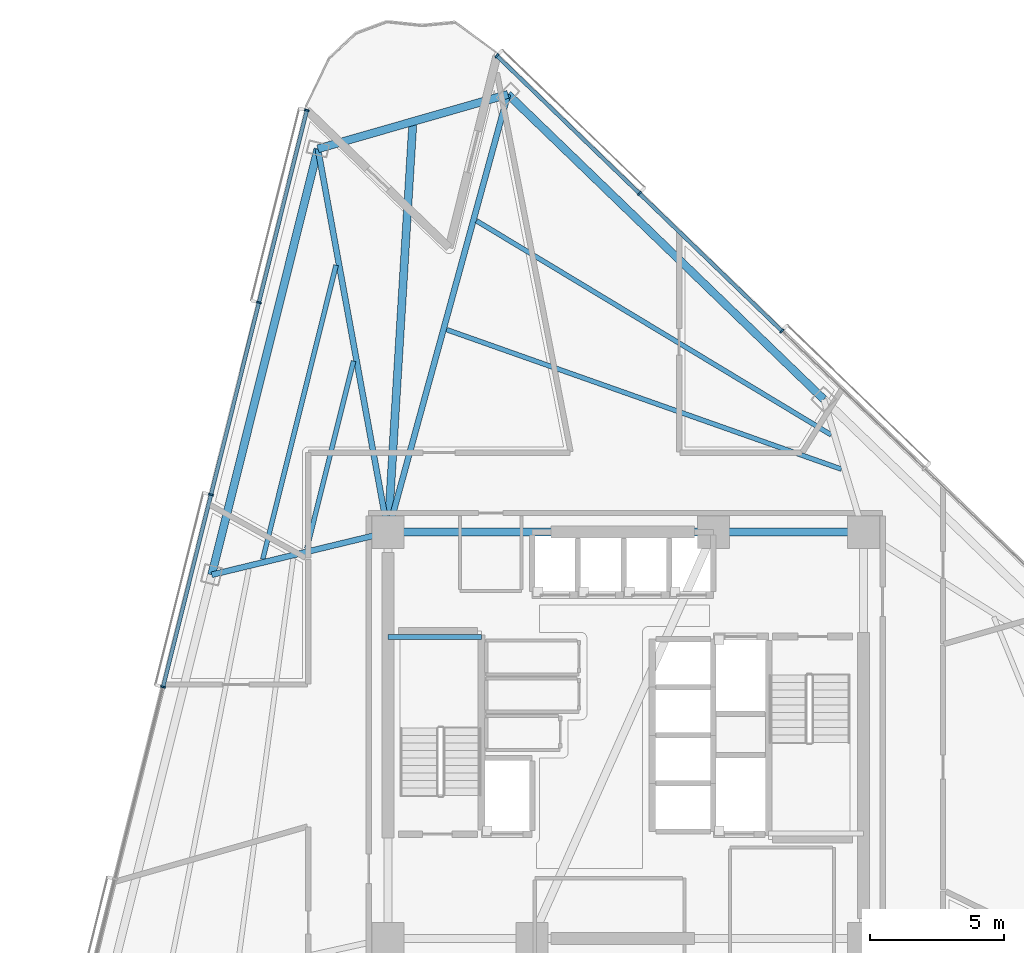
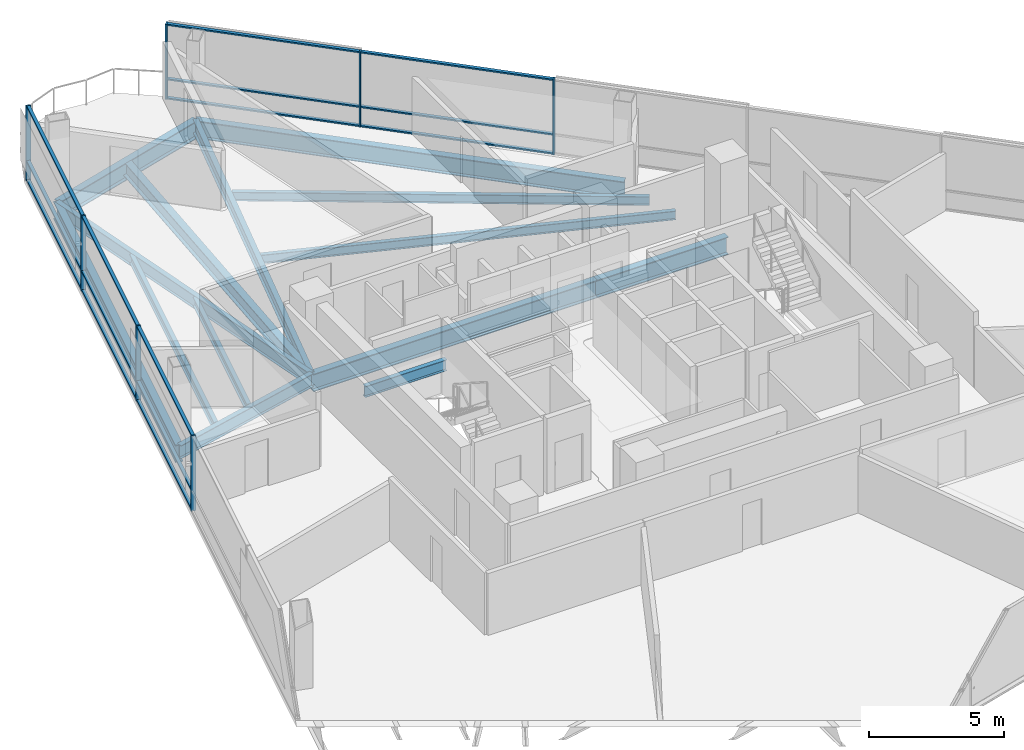
# One storey, part 6 of 17: 22 members, 14 beams, 2 elements without a shape of their own.
"""IFC4 building model written with IfcOpenShell, lengths in metres."""

from ifc_helpers import new_model, si_unit, direction, frame, origin, origin_2d, place, context, subcontext, project, spatial, rectangle, i_section, extrude, material, layer, layer_set, material_profile, profile_set, type_object, element, aggregate, save


model = new_model("IFC4")

# Units and contexts
model_context = context("Model", 3, precision=1e-05, world=origin(), true_north=direction((0.0, 1.0)))
body_context = subcontext(model_context, "Body", "Model", "MODEL_VIEW")
ifc_project = project(units=[si_unit("LENGTHUNIT", "METRE"), si_unit("AREAUNIT", "SQUARE_METRE"), si_unit("VOLUMEUNIT", "CUBIC_METRE"), si_unit("PLANEANGLEUNIT", "RADIAN"), si_unit("MASSUNIT", "GRAM", prefix="KILO")], contexts=[model_context])

# Site, building, storey
site_placement = place(None, origin())
site = spatial("IfcSite", under=ifc_project, at=site_placement, CompositionType="ELEMENT")
building_placement = place(site_placement, origin())
building = spatial("IfcBuilding", under=site, at=building_placement, Name="Tharavind Bronze Gate", CompositionType="ELEMENT")
storey_placement = place(building_placement, frame((0.0, 0.0, 93.300048828125)))
storey = spatial("IfcBuildingStorey", under=building, at=storey_placement, Name="L23", CompositionType="ELEMENT", Elevation=93.300048828125)

# Curtain wall, members
ifc_material_1 = material(Name="Anodised Bronze Aluminium", Category="aluminium")
ifc_layer = layer(ifc_material_1, 0.219970703125)
ifc_layer_set = layer_set([ifc_layer], Name="Anodised Bronze Aluminium")
curtain_wall_type = type_object("IfcCurtainWallType", Name="UNITISED CURTAIN WALL LOWER OFFICE", PredefinedType="USERDEFINED", material=ifc_layer_set)
curtain_wall_1_placement = place(storey_placement, origin())
curtain_wall_1 = element("IfcCurtainWall", 1, at=curtain_wall_1_placement, inside=storey, type_object=curtain_wall_type, Name="L23 unitised curtain wall lower office CW-L23-S1", ObjectType="UNITISED CURTAIN WALL", PredefinedType="USERDEFINED")
member_type_1 = type_object("IfcMemberType", Name="CURTAIN WALL BRONZE MULLION 65X180", PredefinedType="MULLION", material=ifc_material_1)
member_1_placement = place(storey_placement, frame((-11.93359375, 23.394287109375, 0.0), z_axis=(0.0, 0.0, 1.0), x_axis=(-0.2419218956, -0.970295726276, 0.0)))
member_1 = element("IfcMember", 2, at=member_1_placement, type_object=member_type_1, Name="CW-L23-S1 mullion 1", PredefinedType="MULLION", context=body_context, shape_type="SweptSolid", body=[
    extrude(rectangle(XDim=0.06494140625, YDim=0.179931640625, at=origin_2d()), origin(), (0.0, 0.0, 1.0), 3.409912109375),
])
member_2_placement = place(storey_placement, frame((-13.727294921875, 16.2001953125, 0.0), z_axis=(0.0, 0.0, 1.0), x_axis=(-0.2419218956, -0.970295726276, 0.0)))
member_2 = element("IfcMember", 3, at=member_2_placement, type_object=member_type_1, Name="CW-L23-S1 mullion 2", PredefinedType="MULLION", context=body_context, shape_type="SweptSolid", body=[
    extrude(rectangle(XDim=0.06494140625, YDim=0.179931640625, at=origin_2d()), origin(), (0.0, 0.0, 1.0), 3.409912109375),
])
member_3_placement = place(storey_placement, frame((-15.52099609375, 9.00634765625, 0.0), z_axis=(0.0, 0.0, 1.0), x_axis=(-0.2419218956, -0.970295726276, 0.0)))
member_3 = element("IfcMember", 4, at=member_3_placement, type_object=member_type_1, Name="CW-L23-S1 mullion 3", PredefinedType="MULLION", context=body_context, shape_type="SweptSolid", body=[
    extrude(rectangle(XDim=0.06494140625, YDim=0.179931640625, at=origin_2d()), origin(), (0.0, 0.0, 1.0), 3.409912109375),
])
member_4_placement = place(storey_placement, frame((-17.314697265625, 1.812255859375, 0.0), z_axis=(0.0, 0.0, 1.0), x_axis=(-0.2419218956, -0.970295726276, 0.0)))
member_4 = element("IfcMember", 5, at=member_4_placement, type_object=member_type_1, Name="CW-L23-S1 mullion 4", PredefinedType="MULLION", context=body_context, shape_type="SweptSolid", body=[
    extrude(rectangle(XDim=0.06494140625, YDim=0.179931640625, at=origin_2d()), origin(), (0.0, 0.0, 1.0), 3.409912109375),
])

curtain_wall_2_placement = place(storey_placement, origin())
curtain_wall_2 = element("IfcCurtainWall", 6, at=curtain_wall_2_placement, inside=storey, type_object=curtain_wall_type, Name="L23 unitised curtain wall lower office CW-L23-S3", ObjectType="UNITISED CURTAIN WALL", PredefinedType="USERDEFINED")
member_5_placement = place(storey_placement, frame((5.84619140625, 15.13330078125, 0.0), z_axis=(0.0, 0.0, 1.0), x_axis=(-0.719341012745, 0.694657114973, 0.0)))
member_5 = element("IfcMember", 7, at=member_5_placement, type_object=member_type_1, Name="CW-L23-S3 mullion 6", PredefinedType="MULLION", context=body_context, shape_type="SweptSolid", body=[
    extrude(rectangle(XDim=0.06494140625, YDim=0.179931640625, at=origin_2d()), origin(), (0.0, 0.0, 1.0), 3.409912109375),
])
member_6_placement = place(storey_placement, frame((0.512939453125, 20.28369140625, 0.0), z_axis=(0.0, 0.0, 1.0), x_axis=(-0.719341012745, 0.694657114973, 0.0)))
member_6 = element("IfcMember", 8, at=member_6_placement, type_object=member_type_1, Name="CW-L23-S3 mullion 7", PredefinedType="MULLION", context=body_context, shape_type="SweptSolid", body=[
    extrude(rectangle(XDim=0.06494140625, YDim=0.179931640625, at=origin_2d()), origin(), (0.0, 0.0, 1.0), 3.409912109375),
])
member_7_placement = place(storey_placement, frame((-4.8203125, 25.433837890625, 0.0), z_axis=(0.0, 0.0, 1.0), x_axis=(-0.719341012745, 0.694657114973, 0.0)))
member_7 = element("IfcMember", 9, at=member_7_placement, type_object=member_type_1, Name="CW-L23-S3 mullion 8", PredefinedType="MULLION", context=body_context, shape_type="SweptSolid", body=[
    extrude(rectangle(XDim=0.06494140625, YDim=0.179931640625, at=origin_2d()), origin(), (0.0, 0.0, 1.0), 3.409912109375),
])

# Member
member_type_2 = type_object("IfcMemberType", Name="CURTAIN WALL BRONZE TRANSOM 65X140", PredefinedType="USERDEFINED", material=ifc_material_1)
member_8_placement = place(storey_placement, frame((-12.83056640625, 19.797119140625, 0.0), z_axis=(0.0, 0.0, 1.0), x_axis=(-0.2419218956, -0.970295726276, 0.0)))
member_8 = element("IfcMember", 10, at=member_8_placement, type_object=member_type_2, Name="CW-L23-S1 transom TB1", ObjectType="TRANSOM", PredefinedType="USERDEFINED", context=body_context, shape_type="SweptSolid", body=[
    extrude(rectangle(XDim=7.361083984375, YDim=0.139892578125, at=origin_2d()), origin(), (0.0, 0.0, 1.0), 0.06494140625),
])

member_9_placement = place(storey_placement, frame((-12.83056640625, 19.797119140625, 0.867431640625), z_axis=(0.0, 0.0, 1.0), x_axis=(-0.2419218956, -0.970295726276, 0.0)))
member_9 = element("IfcMember", 11, at=member_9_placement, type_object=member_type_2, Name="CW-L23-S1 transom TS1", ObjectType="TRANSOM", PredefinedType="USERDEFINED", context=body_context, shape_type="SweptSolid", body=[
    extrude(rectangle(XDim=7.361083984375, YDim=0.139892578125, at=origin_2d()), origin(), (0.0, 0.0, 1.0), 0.06494140625),
])

member_10_placement = place(storey_placement, frame((-12.83056640625, 19.797119140625, 3.344970703125), z_axis=(0.0, 0.0, 1.0), x_axis=(-0.2419218956, -0.970295726276, 0.0)))
member_10 = element("IfcMember", 12, at=member_10_placement, type_object=member_type_2, Name="CW-L23-S1 transom TT1", ObjectType="TRANSOM", PredefinedType="USERDEFINED", context=body_context, shape_type="SweptSolid", body=[
    extrude(rectangle(XDim=7.361083984375, YDim=0.139892578125, at=origin_2d()), origin(), (0.0, 0.0, 1.0), 0.06494140625),
])

member_11_placement = place(storey_placement, frame((-14.624267578125, 12.603271484375, 0.0), z_axis=(0.0, 0.0, 1.0), x_axis=(-0.2419218956, -0.970295726276, 0.0)))
member_11 = element("IfcMember", 13, at=member_11_placement, type_object=member_type_2, Name="CW-L23-S1 transom TB2", ObjectType="TRANSOM", PredefinedType="USERDEFINED", context=body_context, shape_type="SweptSolid", body=[
    extrude(rectangle(XDim=7.361083984375, YDim=0.139892578125, at=origin_2d()), origin(), (0.0, 0.0, 1.0), 0.06494140625),
])

member_12_placement = place(storey_placement, frame((-14.624267578125, 12.603271484375, 0.867431640625), z_axis=(0.0, 0.0, 1.0), x_axis=(-0.2419218956, -0.970295726276, 0.0)))
member_12 = element("IfcMember", 14, at=member_12_placement, type_object=member_type_2, Name="CW-L23-S1 transom TS2", ObjectType="TRANSOM", PredefinedType="USERDEFINED", context=body_context, shape_type="SweptSolid", body=[
    extrude(rectangle(XDim=7.361083984375, YDim=0.139892578125, at=origin_2d()), origin(), (0.0, 0.0, 1.0), 0.06494140625),
])

member_13_placement = place(storey_placement, frame((-14.624267578125, 12.603271484375, 3.344970703125), z_axis=(0.0, 0.0, 1.0), x_axis=(-0.2419218956, -0.970295726276, 0.0)))
member_13 = element("IfcMember", 15, at=member_13_placement, type_object=member_type_2, Name="CW-L23-S1 transom TT2", ObjectType="TRANSOM", PredefinedType="USERDEFINED", context=body_context, shape_type="SweptSolid", body=[
    extrude(rectangle(XDim=7.361083984375, YDim=0.139892578125, at=origin_2d()), origin(), (0.0, 0.0, 1.0), 0.06494140625),
])

member_14_placement = place(storey_placement, frame((-16.417724609375, 5.4091796875, 0.0), z_axis=(0.0, 0.0, 1.0), x_axis=(-0.2419218956, -0.970295726276, 0.0)))
member_14 = element("IfcMember", 16, at=member_14_placement, type_object=member_type_2, Name="CW-L23-S1 transom TB3", ObjectType="TRANSOM", PredefinedType="USERDEFINED", context=body_context, shape_type="SweptSolid", body=[
    extrude(rectangle(XDim=7.361083984375, YDim=0.139892578125, at=origin_2d()), origin(), (0.0, 0.0, 1.0), 0.06494140625),
])

member_15_placement = place(storey_placement, frame((-16.417724609375, 5.4091796875, 0.867431640625), z_axis=(0.0, 0.0, 1.0), x_axis=(-0.2419218956, -0.970295726276, 0.0)))
member_15 = element("IfcMember", 17, at=member_15_placement, type_object=member_type_2, Name="CW-L23-S1 transom TS3", ObjectType="TRANSOM", PredefinedType="USERDEFINED", context=body_context, shape_type="SweptSolid", body=[
    extrude(rectangle(XDim=7.361083984375, YDim=0.139892578125, at=origin_2d()), origin(), (0.0, 0.0, 1.0), 0.06494140625),
])

member_16_placement = place(storey_placement, frame((-16.417724609375, 5.4091796875, 3.344970703125), z_axis=(0.0, 0.0, 1.0), x_axis=(-0.2419218956, -0.970295726276, 0.0)))
member_16 = element("IfcMember", 18, at=member_16_placement, type_object=member_type_2, Name="CW-L23-S1 transom TT3", ObjectType="TRANSOM", PredefinedType="USERDEFINED", context=body_context, shape_type="SweptSolid", body=[
    extrude(rectangle(XDim=7.361083984375, YDim=0.139892578125, at=origin_2d()), origin(), (0.0, 0.0, 1.0), 0.06494140625),
])

aggregate(curtain_wall_1, [member_1, member_2, member_3, member_4, member_8, member_9, member_10, member_11, member_12, member_13, member_14, member_15, member_16])

member_17_placement = place(storey_placement, frame((3.1796875, 17.70849609375, 0.0), z_axis=(0.0, 0.0, 1.0), x_axis=(-0.719341012745, 0.694657114973, 0.0)))
member_17 = element("IfcMember", 19, at=member_17_placement, type_object=member_type_2, Name="CW-L23-S3 transom TB6", ObjectType="TRANSOM", PredefinedType="USERDEFINED", context=body_context, shape_type="SweptSolid", body=[
    extrude(rectangle(XDim=7.361083984375, YDim=0.139892578125, at=origin_2d()), origin(), (0.0, 0.0, 1.0), 0.06494140625),
])

member_18_placement = place(storey_placement, frame((3.1796875, 17.70849609375, 0.867431640625), z_axis=(0.0, 0.0, 1.0), x_axis=(-0.719341012745, 0.694657114973, 0.0)))
member_18 = element("IfcMember", 20, at=member_18_placement, type_object=member_type_2, Name="CW-L23-S3 transom TS6", ObjectType="TRANSOM", PredefinedType="USERDEFINED", context=body_context, shape_type="SweptSolid", body=[
    extrude(rectangle(XDim=7.361083984375, YDim=0.139892578125, at=origin_2d()), origin(), (0.0, 0.0, 1.0), 0.06494140625),
])

member_19_placement = place(storey_placement, frame((3.1796875, 17.70849609375, 3.344970703125), z_axis=(0.0, 0.0, 1.0), x_axis=(-0.719341012745, 0.694657114973, 0.0)))
member_19 = element("IfcMember", 21, at=member_19_placement, type_object=member_type_2, Name="CW-L23-S3 transom TT6", ObjectType="TRANSOM", PredefinedType="USERDEFINED", context=body_context, shape_type="SweptSolid", body=[
    extrude(rectangle(XDim=7.361083984375, YDim=0.139892578125, at=origin_2d()), origin(), (0.0, 0.0, 1.0), 0.06494140625),
])

member_20_placement = place(storey_placement, frame((-2.15380859375, 22.858642578125, 0.0), z_axis=(0.0, 0.0, 1.0), x_axis=(-0.719341012745, 0.694657114973, 0.0)))
member_20 = element("IfcMember", 22, at=member_20_placement, type_object=member_type_2, Name="CW-L23-S3 transom TB7", ObjectType="TRANSOM", PredefinedType="USERDEFINED", context=body_context, shape_type="SweptSolid", body=[
    extrude(rectangle(XDim=7.361083984375, YDim=0.139892578125, at=origin_2d()), origin(), (0.0, 0.0, 1.0), 0.06494140625),
])

member_21_placement = place(storey_placement, frame((-2.15380859375, 22.858642578125, 0.867431640625), z_axis=(0.0, 0.0, 1.0), x_axis=(-0.719341012745, 0.694657114973, 0.0)))
member_21 = element("IfcMember", 23, at=member_21_placement, type_object=member_type_2, Name="CW-L23-S3 transom TS7", ObjectType="TRANSOM", PredefinedType="USERDEFINED", context=body_context, shape_type="SweptSolid", body=[
    extrude(rectangle(XDim=7.361083984375, YDim=0.139892578125, at=origin_2d()), origin(), (0.0, 0.0, 1.0), 0.06494140625),
])

member_22_placement = place(storey_placement, frame((-2.15380859375, 22.858642578125, 3.344970703125), z_axis=(0.0, 0.0, 1.0), x_axis=(-0.719341012745, 0.694657114973, 0.0)))
member_22 = element("IfcMember", 24, at=member_22_placement, type_object=member_type_2, Name="CW-L23-S3 transom TT7", ObjectType="TRANSOM", PredefinedType="USERDEFINED", context=body_context, shape_type="SweptSolid", body=[
    extrude(rectangle(XDim=7.361083984375, YDim=0.139892578125, at=origin_2d()), origin(), (0.0, 0.0, 1.0), 0.06494140625),
])

aggregate(curtain_wall_2, [member_5, member_6, member_7, member_17, member_18, member_19, member_20, member_21, member_22])

# Beams
ifc_material_2 = material(Name="Steel S355", Category="steel")
ifc_material_profile_1 = material_profile(ifc_material_2, i_section(OverallWidth=0.300048828125, OverallDepth=0.64990234375, WebThickness=0.01611328125, FlangeThickness=0.031005859375, at=origin_2d()), Name="HE650B")
ifc_profile_set_1 = profile_set([ifc_material_profile_1], Name="Steel S355")
beam_type_1 = type_object("IfcBeamType", Name="PRIMARY GIRDER HE650B", PredefinedType="USERDEFINED", material=ifc_profile_set_1)
beam_1_placement = place(storey_placement, frame((-8.89990234375, 7.60009765625, -0.51513671875), z_axis=(0.060795156935, 0.998150263684, 0.0), x_axis=(-0.998150263684, 0.060795156935, 0.0)))
element("IfcBeam", 25, at=beam_1_placement, inside=storey, type_object=beam_type_1, Name="L23 primary girder he650b BM-L23-BLCSB", ObjectType="GIRDER", PredefinedType="USERDEFINED", context=body_context, shape_type="SweptSolid", body=[
    extrude(i_section(OverallWidth=0.300048828125, OverallDepth=0.64990234375, WebThickness=0.01611328125, FlangeThickness=0.031005859375, at=origin_2d()), origin(), (0.0, 0.0, 1.0), 15.400634765625),
])
ifc_material_profile_2 = material_profile(ifc_material_2, i_section(OverallWidth=0.199951171875, OverallDepth=0.5, WebThickness=0.01025390625, FlangeThickness=0.01611328125, at=origin_2d()), Name="IPE500")
ifc_profile_set_2 = profile_set([ifc_material_profile_2], Name="Steel S355")
beam_type_2 = type_object("IfcBeamType", Name="PRIMARY GIRDER IPE500", PredefinedType="USERDEFINED", material=ifc_profile_set_2)
beam_2_placement = place(storey_placement, frame((-8.89990234375, 3.679931640625, 1.349853515625), z_axis=(1.0, 0.0, 0.0), x_axis=(0.0, 1.0, 0.0)))
element("IfcBeam", 26, at=beam_2_placement, inside=storey, type_object=beam_type_2, Name="L23 primary girder ipe500 BM-LD-ST1-L23-1", ObjectType="GIRDER", PredefinedType="USERDEFINED", context=body_context, shape_type="SweptSolid", body=[
    extrude(i_section(OverallWidth=0.199951171875, OverallDepth=0.5, WebThickness=0.01025390625, FlangeThickness=0.01611328125, at=origin_2d()), origin(), (0.0, 0.0, 1.0), 3.5),
])
ifc_material_profile_3 = material_profile(ifc_material_2, i_section(OverallWidth=0.219970703125, OverallDepth=0.60009765625, WebThickness=0.011962890625, FlangeThickness=0.01904296875, at=origin_2d()), Name="IPE600")
ifc_profile_set_3 = profile_set([ifc_material_profile_3], Name="Steel S355")
beam_type_3 = type_object("IfcBeamType", Name="PRIMARY GIRDER IPE600", PredefinedType="USERDEFINED", material=ifc_profile_set_3)
beam_3_placement = place(storey_placement, frame((-11.520263671875, 21.952392578125, -0.489990234375), z_axis=(0.179605485625, -0.983738720156, 0.0), x_axis=(0.983738720156, 0.179605485625, 0.0)))
element("IfcBeam", 27, at=beam_3_placement, inside=storey, type_object=beam_type_3, Name="L23 primary girder ipe600 BM-L23-RAD01", ObjectType="GIRDER", PredefinedType="USERDEFINED", context=body_context, shape_type="SweptSolid", body=[
    extrude(i_section(OverallWidth=0.219970703125, OverallDepth=0.60009765625, WebThickness=0.011962890625, FlangeThickness=0.01904296875, at=origin_2d()), origin(), (0.0, 0.0, 1.0), 14.589599609375),
])
beam_4_placement = place(storey_placement, frame((-15.495849609375, 6.006591796875, -0.489990234375), z_axis=(0.972035781116, 0.234832792069, 0.0), x_axis=(-0.234832792069, 0.972035781116, 0.0)))
element("IfcBeam", 28, at=beam_4_placement, inside=storey, type_object=beam_type_3, Name="L23 primary girder ipe600 BM-L23-RAD02", ObjectType="GIRDER", PredefinedType="USERDEFINED", context=body_context, shape_type="SweptSolid", body=[
    extrude(i_section(OverallWidth=0.219970703125, OverallDepth=0.60009765625, WebThickness=0.011962890625, FlangeThickness=0.01904296875, at=origin_2d()), origin(), (0.0, 0.0, 1.0), 6.78564453125),
])
beam_5_placement = place(storey_placement, frame((-4.406982421875, 23.9921875, -0.489990234375), z_axis=(-0.26434111933, -0.964429247084, 0.0), x_axis=(0.964429247084, -0.26434111933, 0.0)))
element("IfcBeam", 29, at=beam_5_placement, inside=storey, type_object=beam_type_3, Name="L23 primary girder ipe600 BM-L23-RAD12", ObjectType="GIRDER", PredefinedType="USERDEFINED", context=body_context, shape_type="SweptSolid", body=[
    extrude(i_section(OverallWidth=0.219970703125, OverallDepth=0.60009765625, WebThickness=0.011962890625, FlangeThickness=0.01904296875, at=origin_2d()), origin(), (0.0, 0.0, 1.0), 16.99658203125),
])
ifc_material_profile_4 = material_profile(ifc_material_2, i_section(OverallWidth=0.300048828125, OverallDepth=0.800048828125, WebThickness=0.017578125, FlangeThickness=0.032958984375, at=origin_2d()), Name="HE800B")
ifc_profile_set_4 = profile_set([ifc_material_profile_4], Name="Steel S355")
beam_type_4 = type_object("IfcBeamType", Name="RING GIRDER HE800B", PredefinedType="USERDEFINED", material=ifc_profile_set_4)
beam_6_placement = place(storey_placement, frame((8.89990234375, 7.60009765625, -0.590087890625), z_axis=(-1.0, 0.0, 0.0), x_axis=(0.0, -1.0, 0.0)))
element("IfcBeam", 30, at=beam_6_placement, inside=storey, type_object=beam_type_4, Name="L23 ring girder he800b BM-L23-CR4", ObjectType="GIRDER", PredefinedType="USERDEFINED", context=body_context, shape_type="SweptSolid", body=[
    extrude(i_section(OverallWidth=0.300048828125, OverallDepth=0.800048828125, WebThickness=0.017578125, FlangeThickness=0.032958984375, at=origin_2d()), origin(), (0.0, 0.0, 1.0), 5.619873046875),
])
beam_7_placement = place(storey_placement, frame((3.280029296875, 7.60009765625, -0.590087890625), z_axis=(-1.0, 0.0, 0.0), x_axis=(0.0, -1.0, 0.0)))
element("IfcBeam", 31, at=beam_7_placement, inside=storey, type_object=beam_type_4, Name="L23 ring girder he800b BM-L23-CR5", ObjectType="GIRDER", PredefinedType="USERDEFINED", context=body_context, shape_type="SweptSolid", body=[
    extrude(i_section(OverallWidth=0.300048828125, OverallDepth=0.800048828125, WebThickness=0.017578125, FlangeThickness=0.032958984375, at=origin_2d()), origin(), (0.0, 0.0, 1.0), 12.179931640625),
])
for number, where, z_axis, x_axis, name in (
    (32, (-11.520263671875, 21.952392578125, -0.590087890625), (-0.241913375366, -0.970297850569, 0.0), (0.970297850569, -0.241913375366, 0.0), "L23 ring girder he800b BM-L23-PRG01"),
    (33, (7.41455078125, 12.576171875, -0.590087890625), (-0.719336950964, 0.694661321061, 0.0), (-0.694661321061, -0.719336950964, 0.0), "L23 ring girder he800b BM-L23-PRG11"),
):
    element("IfcBeam", number, at=place(storey_placement, frame(where, z_axis=z_axis, x_axis=x_axis)), inside=storey, type_object=beam_type_4, Name=name, ObjectType="GIRDER", PredefinedType="USERDEFINED", context=body_context, shape_type="SweptSolid", body=[
        extrude(i_section(OverallWidth=0.300048828125, OverallDepth=0.800048828125, WebThickness=0.017578125, FlangeThickness=0.032958984375, at=origin_2d()), origin(), (0.0, 0.0, 1.0), 16.433837890625),
    ])
beam_8_placement = place(storey_placement, frame((-4.406982421875, 23.9921875, -0.590087890625), z_axis=(-0.961258317766, -0.275649136633, 0.0), x_axis=(0.275649136633, -0.961258317766, 0.0)))
element("IfcBeam", 34, at=beam_8_placement, inside=storey, type_object=beam_type_4, Name="L23 ring girder he800b BM-L23-PRG12", ObjectType="GIRDER", PredefinedType="USERDEFINED", context=body_context, shape_type="SweptSolid", body=[
    extrude(i_section(OverallWidth=0.300048828125, OverallDepth=0.800048828125, WebThickness=0.017578125, FlangeThickness=0.032958984375, at=origin_2d()), origin(), (0.0, 0.0, 1.0), 7.39990234375),
])
ifc_material_profile_5 = material_profile(ifc_material_2, i_section(OverallWidth=0.179931640625, OverallDepth=0.39990234375, WebThickness=0.008544921875, FlangeThickness=0.013427734375, at=origin_2d()), Name="IPE400")
ifc_profile_set_5 = profile_set([ifc_material_profile_5], Name="Steel S355")
beam_type_5 = type_object("IfcBeamType", Name="SECONDARY FLOOR JOIST IPE400", PredefinedType="JOIST", material=ifc_profile_set_5)
beam_9_placement = place(storey_placement, frame((-10.183837890625, 14.010986328125, -0.39013671875), z_axis=(-0.241924860908, -0.970294986937, 0.0), x_axis=(0.970294986937, -0.241924860908, 0.0)))
element("IfcBeam", 35, at=beam_9_placement, inside=storey, type_object=beam_type_5, Name="L23 secondary floor joist ipe400 BM-L23-JSTA01", PredefinedType="JOIST", context=body_context, shape_type="SweptSolid", body=[
    extrude(i_section(OverallWidth=0.179931640625, OverallDepth=0.39990234375, WebThickness=0.008544921875, FlangeThickness=0.013427734375, at=origin_2d()), origin(), (0.0, 0.0, 1.0), 7.24267578125),
])
beam_10_placement = place(storey_placement, frame((-10.839111328125, 17.59912109375, -0.39013671875), z_axis=(-0.241923228162, -0.97029539403, 0.0), x_axis=(0.97029539403, -0.241923228162, 0.0)))
element("IfcBeam", 36, at=beam_10_placement, inside=storey, type_object=beam_type_5, Name="L23 secondary floor joist ipe400 BM-L23-JSTB01", PredefinedType="JOIST", context=body_context, shape_type="SweptSolid", body=[
    extrude(i_section(OverallWidth=0.179931640625, OverallDepth=0.39990234375, WebThickness=0.008544921875, FlangeThickness=0.013427734375, at=origin_2d()), origin(), (0.0, 0.0, 1.0), 11.35107421875),
])
beam_11_placement = place(storey_placement, frame((8.0771484375, 9.960693359375, -0.39013671875), z_axis=(-0.942851952472, 0.333211938141, 0.0), x_axis=(-0.333211938141, -0.942851952472, 0.0)))
element("IfcBeam", 37, at=beam_11_placement, inside=storey, type_object=beam_type_5, Name="L23 secondary floor joist ipe400 BM-L23-JSTA11", PredefinedType="JOIST", context=body_context, shape_type="SweptSolid", body=[
    extrude(i_section(OverallWidth=0.179931640625, OverallDepth=0.39990234375, WebThickness=0.008544921875, FlangeThickness=0.013427734375, at=origin_2d()), origin(), (0.0, 0.0, 1.0), 15.67578125),
])
beam_12_placement = place(storey_placement, frame((7.694580078125, 11.244384765625, -0.39013671875), z_axis=(-0.856169414419, 0.516695203977, 0.0), x_axis=(-0.516695203977, -0.856169414419, 0.0)))
element("IfcBeam", 38, at=beam_12_placement, inside=storey, type_object=beam_type_5, Name="L23 secondary floor joist ipe400 BM-L23-JSTB11", PredefinedType="JOIST", context=body_context, shape_type="SweptSolid", body=[
    extrude(i_section(OverallWidth=0.179931640625, OverallDepth=0.39990234375, WebThickness=0.008544921875, FlangeThickness=0.013427734375, at=origin_2d()), origin(), (0.0, 0.0, 1.0), 15.51171875),
])

save(model, "model.ifc")
